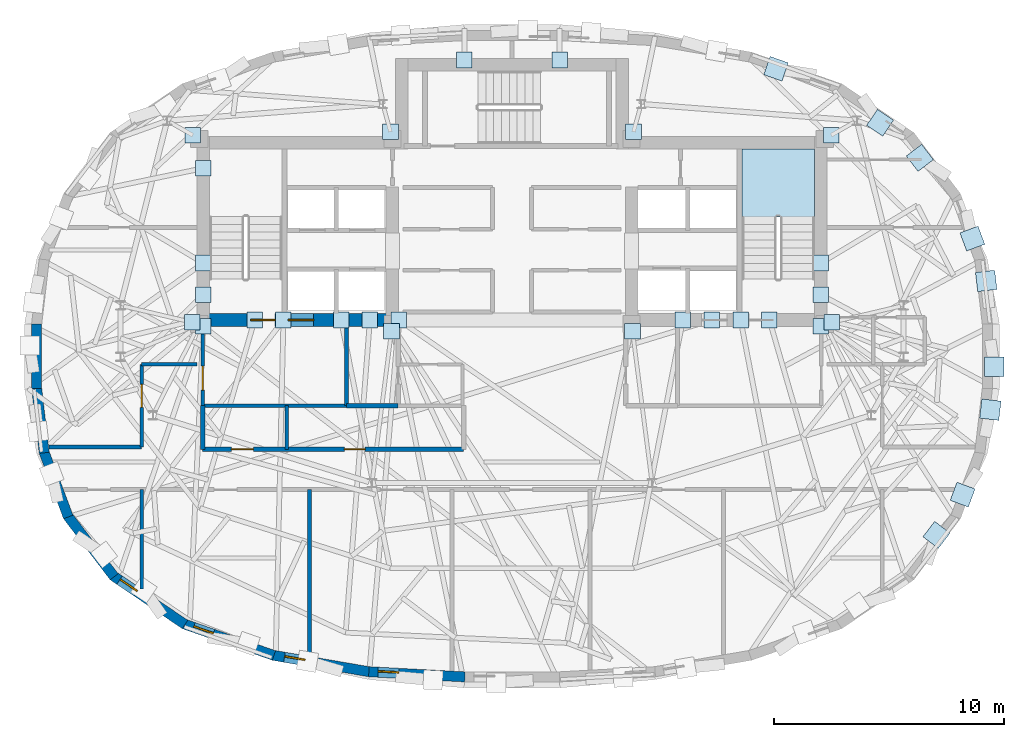
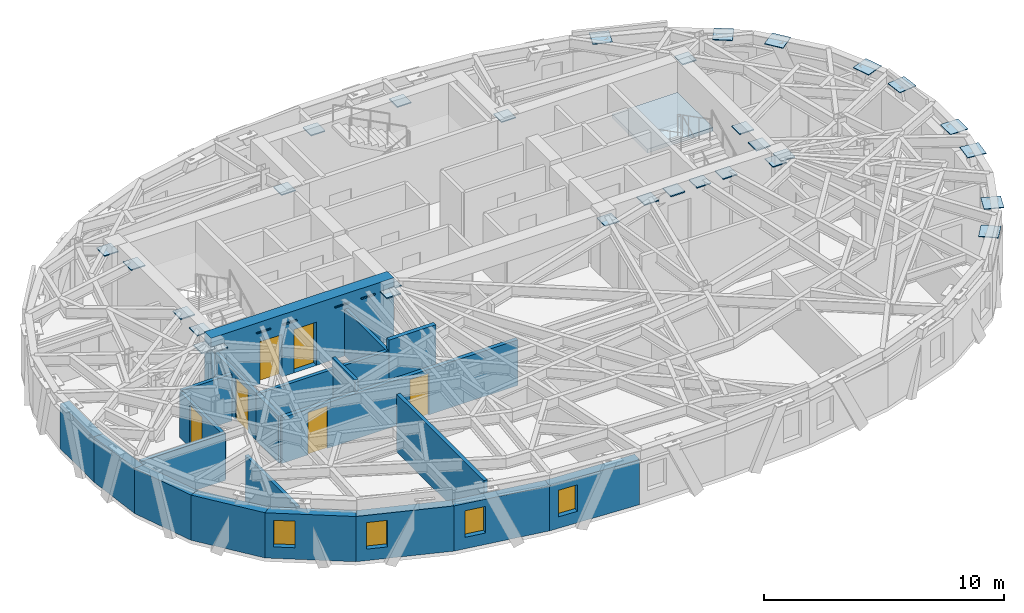
# One storey, part 5 of 12: 35 plates, 21 walls, 6 doors, 4 windows, 1 slab, 10 openings, 1 element without a shape of its own.
"""IFC4 building model written with IfcOpenShell, lengths in metres."""

from ifc_helpers import new_model, si_unit, direction, frame, frame_2d, origin, origin_2d, place, context, subcontext, project, spatial, polyline, rectangle, outline, extrude, material, layer, layer_set, type_object, element, fill, aggregate, save


model = new_model("IFC4")

# Units and contexts
model_context = context("Model", 3, precision=1e-05, world=origin(), true_north=direction((0.0, 1.0)))
body_context = subcontext(model_context, "Body", "Model", "MODEL_VIEW")
ifc_project = project(units=[si_unit("LENGTHUNIT", "METRE"), si_unit("AREAUNIT", "SQUARE_METRE"), si_unit("VOLUMEUNIT", "CUBIC_METRE"), si_unit("PLANEANGLEUNIT", "RADIAN"), si_unit("MASSUNIT", "GRAM", prefix="KILO")], contexts=[model_context])

# Site, building, storey
site_placement = place(None, origin())
site = spatial("IfcSite", under=ifc_project, at=site_placement, CompositionType="ELEMENT")
building_placement = place(site_placement, origin())
building = spatial("IfcBuilding", under=site, at=building_placement, Name="Keldmark Tower", CompositionType="ELEMENT")
storey_placement = place(building_placement, frame((0.0, 0.0, 257.25)))
storey = spatial("IfcBuildingStorey", under=building, at=storey_placement, Name="L73", CompositionType="ELEMENT", Elevation=257.25)

# Plates
ifc_material_1 = material(Name="Steel ASTM A572 Grade 50", Category="steel")
ifc_layer_1 = layer(ifc_material_1, 0.06005859375)
ifc_layer_set_1 = layer_set([ifc_layer_1], Name="Steel ASTM A572 Grade 50")
plate_type_1 = type_object("IfcPlateType", Name="Belt Truss Kink Node Assembly KN01 60 mm", PredefinedType="USERDEFINED", material=ifc_layer_set_1)
for number, where, z_axis, x_axis, name in (
    (1, (13.91162109375, 1.473388671875, 2.63818359375), (0.0, 0.0, 1.0), (1.0, 0.0, 0.0), "L73 Core Wall Cast-In Embed Plate 2111"),
    (2, (13.878173828125, 9.608154296875, 2.63818359375), (0.0, 0.0, 1.0), (1.0, 0.0, 0.0), "L73 Core Wall Cast-In Embed Plate 2112"),
    (3, (5.28515625, 9.758544921875, 2.63818359375), (0.0, 0.0, 1.0), (1.0, 0.0, 0.0), "L73 Core Wall Cast-In Embed Plate 2113"),
    (4, (-5.28515625, 9.758544921875, 2.63818359375), (0.0, 0.0, 1.0), (1.0, 0.0, 0.0), "L73 Core Wall Cast-In Embed Plate 2114"),
    (5, (-13.878173828125, 9.608154296875, 2.63818359375), (0.0, 0.0, 1.0), (1.0, 0.0, 0.0), "L73 Core Wall Cast-In Embed Plate 2115"),
    (6, (-13.91162109375, 1.473388671875, 2.63818359375), (0.0, 0.0, 1.0), (1.0, 0.0, 0.0), "L73 Core Wall Cast-In Embed Plate 2116"),
    (7, (-5.24072265625, 1.08251953125, 2.63818359375), (0.0, 0.0, 1.0), (1.0, 0.0, 0.0), "L73 Core Wall Cast-In Embed Plate 2117"),
    (8, (5.24072265625, 1.08251953125, 2.63818359375), (0.0, 0.0, 1.0), (1.0, 0.0, 0.0), "L73 Core Wall Cast-In Embed Plate 2118"),
    (9, (2.071533203125, 12.8798828125, 2.63427734375), (0.0, 0.0, 1.0), (1.0, 0.0, 0.0), "L73 Core Wall Cast-In Embed Plate 2119"),
    (10, (-2.071533203125, 12.8798828125, 2.63427734375), (0.0, 0.0, 1.0), (1.0, 0.0, 0.0), "L73 Core Wall Cast-In Embed Plate 2120"),
    (11, (-11.19287109375, 1.574951171875, 2.63427734375), (0.0, 0.0, 1.0), (1.0, 0.0, 0.0), "L73 Core Wall Cast-In Embed Plate 2121"),
    (12, (-7.43212890625, 1.574951171875, 2.63427734375), (0.0, 0.0, 1.0), (1.0, 0.0, 0.0), "L73 Core Wall Cast-In Embed Plate 2122"),
    (13, (7.43212890625, 1.574951171875, 2.63427734375), (0.0, 0.0, 1.0), (1.0, 0.0, 0.0), "L73 Core Wall Cast-In Embed Plate 2123"),
    (14, (11.19287109375, 1.574951171875, 2.63427734375), (0.0, 0.0, 1.0), (1.0, 0.0, 0.0), "L73 Core Wall Cast-In Embed Plate 2124"),
    (15, (-9.939208984375, 1.574951171875, 2.63427734375), (0.0, 0.0, 1.0), (1.0, 0.0, 0.0), "L73 Core Wall Cast-In Embed Plate 2125"),
    (16, (-6.1787109375, 1.574951171875, 2.63427734375), (0.0, 0.0, 1.0), (1.0, 0.0, 0.0), "L73 Core Wall Cast-In Embed Plate 2126"),
    (17, (9.939208984375, 1.574951171875, 2.63427734375), (0.0, 0.0, 1.0), (1.0, 0.0, 0.0), "L73 Core Wall Cast-In Embed Plate 2127"),
    (18, (13.425048828125, 4.050048828125, 2.63427734375), (0.0, 0.0, 1.0), (1.0, 0.0, 0.0), "L73 Core Wall Cast-In Embed Plate 2128"),
    (19, (-13.425048828125, 4.050048828125, 2.63427734375), (0.0, 0.0, 1.0), (1.0, 0.0, 0.0), "L73 Core Wall Cast-In Embed Plate 2129"),
    (20, (-13.425048828125, 8.175048828125, 2.63427734375), (0.0, 0.0, 1.0), (1.0, 0.0, 0.0), "L73 Core Wall Cast-In Embed Plate 2130"),
    (21, (-13.425048828125, 2.675048828125, 2.63427734375), (0.0, 0.0, 1.0), (1.0, 0.0, 0.0), "L73 Core Wall Cast-In Embed Plate 2131"),
    (22, (8.685791015625, 1.574951171875, 2.63427734375), (0.0, 0.0, 1.0), (1.0, 0.0, 0.0), "L73 Core Wall Cast-In Embed Plate 2132"),
    (23, (-13.425048828125, 1.300048828125, 2.63427734375), (0.0, 0.0, 1.0), (1.0, 0.0, 0.0), "L73 Core Wall Cast-In Embed Plate 2133"),
    (24, (-4.925048828125, 1.574951171875, 2.63427734375), (0.0, 0.0, 1.0), (1.0, 0.0, 0.0), "L73 Core Wall Cast-In Embed Plate 2134"),
    (25, (13.425048828125, 1.300048828125, 2.63427734375), (0.0, 0.0, 1.0), (1.0, 0.0, 0.0), "L73 Core Wall Cast-In Embed Plate 2135"),
    (26, (13.425048828125, 2.675048828125, 2.63427734375), (0.0, 0.0, 1.0), (1.0, 0.0, 0.0), "L73 Core Wall Cast-In Embed Plate 2136"),
):
    element("IfcPlate", number, at=place(storey_placement, frame(where, z_axis=z_axis, x_axis=x_axis)), inside=storey, type_object=plate_type_1, Name=name, ObjectType="CAP PLATE", PredefinedType="USERDEFINED", context=body_context, shape_type="SweptSolid", body=[
        extrude(rectangle(XDim=0.679931640625, YDim=0.679931640625, at=origin_2d()), origin(), (0.0, 0.0, 1.0), 0.054931640625),
    ])
ifc_material_2 = material(Name="Steel ASTM A572 Grade 50", Category="steel")
ifc_layer_2 = layer(ifc_material_2, 0.034912109375)
ifc_layer_set_2 = layer_set([ifc_layer_2], Name="Steel ASTM A572 Grade 50")
plate_type_2 = type_object("IfcPlateType", Name="Diagrid Node Assembly DN06 35 mm", PredefinedType="USERDEFINED", material=ifc_layer_set_2)
for number, where, z_axis, x_axis, name in (
    (27, (20.619873046875, 3.273193359375, 2.79248046875), (0.0, 0.0, 1.0), (-0.116324048041, 0.9932113148, 0.0), "L73 Diagrid Node Assembly 01"),
    (28, (20.01806640625, 5.115234375, 2.79248046875), (0.0, 0.0, 1.0), (-0.34906275922, 0.937099349122, 0.0), "L73 Diagrid Node Assembly 02"),
    (29, (17.7353515625, 8.62548828125, 2.79248046875), (0.0, 0.0, 1.0), (-0.606821085724, 0.794838455235, 0.0), "L73 Diagrid Node Assembly 03"),
    (30, (16.0048828125, 10.151611328125, 2.79248046875), (0.0, 0.0, 1.0), (-0.827668733006, 0.561216953062, 0.0), "L73 Diagrid Node Assembly 04"),
    (31, (11.4814453125, 12.49853515625, 2.79248046875), (0.0, 0.0, 1.0), (-0.943569979028, 0.331173209479, 0.0), "L73 Diagrid Node Assembly 05"),
    (32, (18.45849609375, -7.771240234375, 2.79248046875), (0.0, 0.0, 1.0), (0.606821085724, 0.794838455235, 0.0), "L73 Diagrid Node Assembly 29"),
    (33, (19.595458984375, -6.0205078125, 2.79248046875), (0.0, 0.0, 1.0), (0.34906275922, 0.937099349122, 0.0), "L73 Diagrid Node Assembly 30"),
    (34, (20.79931640625, -2.32421875, 2.79248046875), (0.0, 0.0, 1.0), (0.116324048041, 0.9932113148, 0.0), "L73 Diagrid Node Assembly 31"),
    (35, (20.973876953125, -0.462158203125, 2.79248046875), (0.0, 0.0, 1.0), (0.0, 1.0, 0.0), "L73 Diagrid Node Assembly 32"),
):
    element("IfcPlate", number, at=place(storey_placement, frame(where, z_axis=z_axis, x_axis=x_axis)), inside=storey, type_object=plate_type_2, Name=name, ObjectType="GUSSET", PredefinedType="USERDEFINED", context=body_context, shape_type="SweptSolid", body=[
        extrude(rectangle(XDim=0.840087890625, YDim=0.840087890625, at=origin_2d()), origin(), (0.0, 0.0, 1.0), 0.034912109375),
    ])

# Stair, slab
ifc_material_3 = material(Name="Concrete C40/50", Category="concrete")
stair_type = type_object("IfcStairType", Name="Precast Concrete Core Exit Stair", PredefinedType="HALF_TURN_STAIR", material=ifc_material_3)
stair_placement = place(storey_placement, origin())
stair = element("IfcStair", 36, at=stair_placement, inside=storey, type_object=stair_type, Name="L73 Exit Stair ST2", PredefinedType="HALF_TURN_STAIR")
ifc_material_4 = material(Name="Concrete C40/50", Category="concrete")
ifc_layer_3 = layer(ifc_material_4, 0.199951171875)
ifc_layer_set_3 = layer_set([ifc_layer_3], Name="Concrete C40/50")
slab_type = type_object("IfcSlabType", Name="Reinforced Concrete Stair Landing 200 mm", PredefinedType="LANDING", material=ifc_layer_set_3)
slab_placement = place(storey_placement, frame((0.0, 0.0, 1.375)))
slab = element("IfcSlab", 37, at=slab_placement, type_object=slab_type, Name="ST2 landing 1", PredefinedType="LANDING", context=body_context, shape_type="SweptSolid", body=[
    extrude(outline(polyline([(13.14990234375, 6.050048828125), (13.14990234375, 9.0), (10.0, 9.0), (10.0, 6.050048828125), (13.14990234375, 6.050048828125)])), origin(), (0.0, 0.0, 1.0), 0.199951171875),
])
aggregate(stair, [slab])

# Wall
ifc_material_5 = material(Name="STC-58 Insulated Tenant Demising Gypsum Partition", Category="gypsum")
ifc_layer_4 = layer(ifc_material_5, 0.175048828125)
ifc_layer_set_4 = layer_set([ifc_layer_4], Name="STC-58 Insulated Tenant Demising Gypsum Partition")
wall_type_1 = type_object("IfcWallType", Name="Demising Suite Partition 175 mm", PredefinedType="PARTITIONING", material=ifc_layer_set_4)
wall_1_placement = place(storey_placement, frame((-8.800048828125, -13.04638671875, 0.0), z_axis=(0.0, 0.0, 1.0), x_axis=(0.0, 1.0, 0.0)))
element("IfcWall", 38, at=wall_1_placement, inside=storey, type_object=wall_type_1, Name="L73 Demising Suite Partition 175 mm RS-T5-D1", PredefinedType="PARTITIONING", context=body_context, shape_type="SweptSolid", body=[
    extrude(rectangle(XDim=7.246337890625, YDim=0.175048828125, at=frame_2d((3.623046875, 0.0))), origin(), (0.0, 0.0, 1.0), 2.929931640625),
])

# Wall, openings, doors
ifc_material_6 = material(Name="Heavy Acoustic Plumbing Chase Gypsum Assembly", Category="gypsum")
ifc_layer_5 = layer(ifc_material_6, 0.18994140625)
ifc_layer_set_5 = layer_set([ifc_layer_5], Name="Heavy Acoustic Plumbing Chase Gypsum Assembly")
wall_type_2 = type_object("IfcWallType", Name="Heavy Wet Wall 190 mm", PredefinedType="PLUMBINGWALL", material=ifc_layer_set_5)
wall_2_placement = place(storey_placement, frame((-13.449951171875, -4.050048828125, 0.0), z_axis=(0.0, 0.0, 1.0), x_axis=(1.0, 0.0, 0.0)))
wall_2 = element("IfcWall", 39, at=wall_2_placement, inside=storey, type_object=wall_type_2, Name="L73 Heavy Wet Wall 190 mm SPK-W-S", PredefinedType="PLUMBINGWALL", context=body_context, shape_type="SweptSolid", body=[
    extrude(rectangle(XDim=11.349853515625, YDim=0.18994140625, at=frame_2d((5.6748046875, 0.0))), origin(), (0.0, 0.0, 1.0), 2.31689453125),
])
opening_1_placement = place(wall_2_placement, frame((1.25, 0.0, 0.0)))
opening_1 = element("IfcOpeningElement", 40, at=opening_1_placement, cuts=wall_2, Name="Opening D-AWC95", PredefinedType="OPENING", context=body_context, shape_type="SweptSolid", body=[
    extrude(rectangle(XDim=0.949951171875, YDim=2.14990234375, at=frame_2d((0.47509765625, 1.074951171875))), frame((0.0, 0.10498046875, 0.0), z_axis=(0.0, -1.0, 0.0), x_axis=(1.0, 0.0, 0.0)), (0.0, 0.0, 1.0), 0.2099609375),
])
opening_2_placement = place(wall_2_placement, frame((6.159912109375, 0.0, 0.0)))
opening_2 = element("IfcOpeningElement", 41, at=opening_2_placement, cuts=wall_2, Name="Opening D-IN090", PredefinedType="OPENING", context=body_context, shape_type="SweptSolid", body=[
    extrude(rectangle(XDim=0.89990234375, YDim=2.10009765625, at=frame_2d((0.449951171875, 1.050048828125))), frame((0.0, 0.10498046875, 0.0), z_axis=(0.0, -1.0, 0.0), x_axis=(1.0, 0.0, 0.0)), (0.0, 0.0, 1.0), 0.2099609375),
])
ifc_material_7 = material(Name="Painted Solid-Core Architectural Wood", Category="wood")
door_type_1 = type_object("IfcDoorType", Name="Accessible WC Door 950x2150", OperationType="NOTDEFINED", PredefinedType="DOOR", material=ifc_material_7)
door_1_placement = place(opening_1_placement, origin())
door_1 = element("IfcDoor", 42, at=door_1_placement, inside=storey, type_object=door_type_1, Name="L73 Accessible WC Door 950x2150 D-SPKW1-L73", OperationType="SINGLE_SWING_LEFT", OverallHeight=2.14990234375, OverallWidth=0.949951171875, PredefinedType="DOOR", context=body_context, shape_type="SweptSolid", body=[
    extrude(rectangle(XDim=0.949951171875, YDim=2.14990234375, at=frame_2d((0.47509765625, 1.074951171875))), frame((0.0, 0.02490234375, 0.0), z_axis=(0.0, -1.0, 0.0), x_axis=(1.0, 0.0, 0.0)), (0.0, 0.0, 1.0), 0.050048828125),
])
fill(opening_1, door_1)
ifc_material_8 = material(Name="Stained American White Oak Veneer", Category="wood")
door_type_2 = type_object("IfcDoorType", Name="Interior Door 900x2100", OperationType="NOTDEFINED", PredefinedType="DOOR", material=ifc_material_8)
door_2_placement = place(opening_2_placement, origin())
door_2 = element("IfcDoor", 43, at=door_2_placement, inside=storey, type_object=door_type_2, Name="L73 Interior Door 900x2100 D-SPKW2-L73", OperationType="SINGLE_SWING_RIGHT", OverallHeight=2.10009765625, OverallWidth=0.89990234375, PredefinedType="DOOR", context=body_context, shape_type="SweptSolid", body=[
    extrude(rectangle(XDim=0.89990234375, YDim=2.10009765625, at=frame_2d((0.449951171875, 1.050048828125))), frame((0.0, 0.02490234375, 0.0), z_axis=(0.0, -1.0, 0.0), x_axis=(1.0, 0.0, 0.0)), (0.0, 0.0, 1.0), 0.050048828125),
])
fill(opening_2, door_2)

# Wall
wall_3_placement = place(storey_placement, frame((-13.449951171875, -4.050048828125, 0.0), z_axis=(0.0, 0.0, 1.0), x_axis=(0.0, 1.0, 0.0)))
element("IfcWall", 44, at=wall_3_placement, inside=storey, type_object=wall_type_2, Name="L73 Heavy Wet Wall 190 mm SPK-W-W", PredefinedType="PLUMBINGWALL", context=body_context, shape_type="SweptSolid", body=[
    extrude(rectangle(XDim=1.900146484375, YDim=0.18994140625, at=frame_2d((0.9501953125, 0.0))), origin(), (0.0, 0.0, 1.0), 2.383056640625),
])

# Wall, openings, doors
ifc_material_9 = material(Name="Concrete C50/60", Category="concrete")
ifc_layer_6 = layer(ifc_material_9, 0.550048828125)
ifc_layer_set_6 = layer_set([ifc_layer_6], Name="Concrete C50/60")
wall_type_3 = type_object("IfcWallType", Name="High-Rise Core Shear Wall 550 mm", PredefinedType="SHEAR", material=ifc_layer_set_6)
wall_4_placement = place(storey_placement, frame((-4.925048828125, 1.574951171875, 0.0), z_axis=(0.0, 0.0, 1.0), x_axis=(-1.0, 0.0, 0.0)))
wall_4 = element("IfcWall", 45, at=wall_4_placement, inside=storey, type_object=wall_type_3, Name="L73 West Core South Shear Wall", PredefinedType="SHEAR", context=body_context, shape_type="SweptSolid", body=[
    extrude(rectangle(XDim=8.77490234375, YDim=0.550048828125, at=frame_2d((4.387451171875, 0.0))), origin(), (0.0, 0.0, 1.0), 3.14990234375),
])
opening_3_placement = place(wall_4_placement, frame((5.375, 0.0, 0.0)))
opening_3 = element("IfcOpeningElement", 46, at=opening_3_placement, cuts=wall_4, Name="Opening D-ST105", PredefinedType="OPENING", context=body_context, shape_type="SweptSolid", body=[
    extrude(rectangle(XDim=1.050048828125, YDim=2.14990234375, at=frame_2d((0.52490234375, 1.074951171875))), frame((0.0, 0.284912109375, 0.0), z_axis=(0.0, -1.0, 0.0), x_axis=(1.0, 0.0, 0.0)), (0.0, 0.0, 1.0), 0.570068359375),
])
opening_4_placement = place(wall_4_placement, frame((3.705078125, 0.0, 0.0)))
opening_4 = element("IfcOpeningElement", 47, at=opening_4_placement, cuts=wall_4, Name="Opening LD-110", PredefinedType="OPENING", context=body_context, shape_type="SweptSolid", body=[
    extrude(rectangle(XDim=1.10009765625, YDim=2.199951171875, at=frame_2d((0.550048828125, 1.10009765625))), frame((0.0, 0.284912109375, 0.0), z_axis=(0.0, -1.0, 0.0), x_axis=(1.0, 0.0, 0.0)), (0.0, 0.0, 1.0), 0.570068359375),
])
ifc_material_10 = material(Name="Brushed Bronze Hoistway Sliding Leaf", Category="metal")
door_type_3 = type_object("IfcDoorType", Name="Lift Landing Sliding Door 1100x2200", OperationType="SLIDING_TO_LEFT", PredefinedType="DOOR", material=ifc_material_10)
door_3_placement = place(opening_4_placement, origin())
door_3 = element("IfcDoor", 48, at=door_3_placement, inside=storey, type_object=door_type_3, Name="L73 Lift Landing Sliding Door 1100x2200 LD-EL-FS1-L73", OperationType="SLIDING_TO_LEFT", OverallHeight=2.199951171875, OverallWidth=1.10009765625, PredefinedType="DOOR", context=body_context, shape_type="SweptSolid", body=[
    extrude(rectangle(XDim=1.10009765625, YDim=2.199951171875, at=frame_2d((0.550048828125, 1.10009765625))), frame((0.0, 0.02490234375, 0.0), z_axis=(0.0, -1.0, 0.0), x_axis=(1.0, 0.0, 0.0)), (0.0, 0.0, 1.0), 0.050048828125),
])
fill(opening_4, door_3)
ifc_material_11 = material(Name="Hollow Metal Fire-Rated Door Assembly", Category="metal")
door_type_4 = type_object("IfcDoorType", Name="Stair Fire Door 1050x2150", OperationType="NOTDEFINED", PredefinedType="DOOR", material=ifc_material_11)
door_4_placement = place(opening_3_placement, origin())
door_4 = element("IfcDoor", 49, at=door_4_placement, inside=storey, type_object=door_type_4, Name="L73 Stair Fire Door 1050x2150 D-ST1-L73", OperationType="SINGLE_SWING_RIGHT", OverallHeight=2.14990234375, OverallWidth=1.050048828125, PredefinedType="DOOR", context=body_context, shape_type="SweptSolid", body=[
    extrude(rectangle(XDim=1.050048828125, YDim=2.14990234375, at=frame_2d((0.52490234375, 1.074951171875))), frame((0.0, 0.02490234375, 0.0), z_axis=(0.0, -1.0, 0.0), x_axis=(1.0, 0.0, 0.0)), (0.0, 0.0, 1.0), 0.050048828125),
])
fill(opening_3, door_4)

# Wall
ifc_material_12 = material(Name="Type X Fire-Rated Gypsum Partition Assembly", Category="gypsum")
ifc_layer_7 = layer(ifc_material_12, 0.1650390625)
ifc_layer_set_7 = layer_set([ifc_layer_7], Name="Type X Fire-Rated Gypsum Partition Assembly")
wall_type_4 = type_object("IfcWallType", Name="Rated Partition 165 mm", PredefinedType="PARTITIONING", material=ifc_layer_set_7)
wall_5_placement = place(storey_placement, frame((-13.449951171875, -2.14990234375, 0.0), z_axis=(0.0, 0.0, 1.0), x_axis=(1.0, 0.0, 0.0)))
element("IfcWall", 50, at=wall_5_placement, inside=storey, type_object=wall_type_4, Name="L73 Rated Partition 165 mm FSAE-W-S", PredefinedType="PARTITIONING", context=body_context, shape_type="SweptSolid", body=[
    extrude(rectangle(XDim=6.25, YDim=0.1650390625, at=frame_2d((3.125, 0.0))), origin(), (0.0, 0.0, 1.0), 2.383056640625),
])

# Wall, opening, door
wall_6_placement = place(storey_placement, frame((-13.449951171875, -2.14990234375, 0.0), z_axis=(0.0, 0.0, 1.0), x_axis=(0.0, 1.0, 0.0)))
wall_6 = element("IfcWall", 51, at=wall_6_placement, inside=storey, type_object=wall_type_4, Name="L73 Rated Partition 165 mm FSAE-W-W", PredefinedType="PARTITIONING", context=body_context, shape_type="SweptSolid", body=[
    extrude(rectangle(XDim=3.5, YDim=0.1650390625, at=frame_2d((1.75, 0.0))), origin(), (0.0, 0.0, 1.0), 2.383056640625),
])
opening_5_placement = place(wall_6_placement, frame((0.669921875, 0.0, 0.0)))
opening_5 = element("IfcOpeningElement", 52, at=opening_5_placement, cuts=wall_6, Name="Opening D-FL105", PredefinedType="OPENING", context=body_context, shape_type="SweptSolid", body=[
    extrude(rectangle(XDim=1.050048828125, YDim=2.14990234375, at=frame_2d((0.52490234375, 1.074951171875))), frame((0.0, 0.092529296875, 0.0), z_axis=(0.0, -1.0, 0.0), x_axis=(1.0, 0.0, 0.0)), (0.0, 0.0, 1.0), 0.18505859375),
])
ifc_material_13 = material(Name="Fire-Rated Mineral-Core Door and Vision Lite", Category="metal")
door_type_5 = type_object("IfcDoorType", Name="Fire Lobby Door 1050x2150", OperationType="NOTDEFINED", PredefinedType="DOOR", material=ifc_material_13)
door_5_placement = place(opening_5_placement, origin())
door_5 = element("IfcDoor", 53, at=door_5_placement, inside=storey, type_object=door_type_5, Name="L73 Fire Lobby Door 1050x2150 D-FSAEW-OUT-L73", OperationType="SINGLE_SWING_RIGHT", OverallHeight=2.14990234375, OverallWidth=1.050048828125, PredefinedType="DOOR", context=body_context, shape_type="SweptSolid", body=[
    extrude(rectangle(XDim=1.050048828125, YDim=2.14990234375, at=frame_2d((0.52490234375, 1.074951171875))), frame((0.0, 0.02490234375, 0.0), z_axis=(0.0, -1.0, 0.0), x_axis=(1.0, 0.0, 0.0)), (0.0, 0.0, 1.0), 0.050048828125),
])
fill(opening_5, door_5)

# Walls
wall_7_placement = place(storey_placement, frame((-7.199951171875, -2.14990234375, 0.0), z_axis=(0.0, 0.0, 1.0), x_axis=(0.0, 1.0, 0.0)))
element("IfcWall", 54, at=wall_7_placement, inside=storey, type_object=wall_type_4, Name="L73 Rated Partition 165 mm FSAE-W-E", PredefinedType="PARTITIONING", context=body_context, shape_type="SweptSolid", body=[
    extrude(rectangle(XDim=3.5, YDim=0.1650390625, at=frame_2d((1.75, 0.0))), origin(), (0.0, 0.0, 1.0), 2.383056640625),
])
wall_8_placement = place(storey_placement, frame((-20.141845703125, -3.949951171875, 0.0), z_axis=(0.0, 0.0, 1.0), x_axis=(1.0, 0.0, 0.0)))
element("IfcWall", 55, at=wall_8_placement, inside=storey, type_object=wall_type_4, Name="L73 Rated Partition 165 mm RCOR-WN-OUT", PredefinedType="PARTITIONING", context=body_context, shape_type="SweptSolid", body=[
    extrude(rectangle(XDim=4.041748046875, YDim=0.1650390625, at=frame_2d((2.02099609375, 0.0))), origin(), (0.0, 0.0, 1.0), 2.383056640625),
])

# Wall, opening, door
wall_9_placement = place(storey_placement, frame((-16.10009765625, -3.949951171875, 0.0), z_axis=(0.0, 0.0, 1.0), x_axis=(0.0, 1.0, 0.0)))
wall_9 = element("IfcWall", 56, at=wall_9_placement, inside=storey, type_object=wall_type_4, Name="L73 Rated Partition 165 mm RCOR-VW", PredefinedType="PARTITIONING", context=body_context, shape_type="SweptSolid", body=[
    extrude(rectangle(XDim=3.599853515625, YDim=0.1650390625, at=frame_2d((1.7998046875, 0.0))), origin(), (0.0, 0.0, 1.0), 2.31689453125),
])
opening_6_placement = place(wall_9_placement, frame((1.72998046875, 0.0, 0.0)))
opening_6 = element("IfcOpeningElement", 57, at=opening_6_placement, cuts=wall_9, Name="Opening D-FD100", PredefinedType="OPENING", context=body_context, shape_type="SweptSolid", body=[
    extrude(rectangle(XDim=1.0, YDim=2.14990234375, at=frame_2d((0.5, 1.074951171875))), frame((0.0, 0.092529296875, 0.0), z_axis=(0.0, -1.0, 0.0), x_axis=(1.0, 0.0, 0.0)), (0.0, 0.0, 1.0), 0.18505859375),
])
ifc_material_14 = material(Name="Hollow Metal Fire-Rated Corridor Door", Category="metal")
door_type_6 = type_object("IfcDoorType", Name="Fire Door 1000x2150", OperationType="NOTDEFINED", PredefinedType="DOOR", material=ifc_material_14)
door_6_placement = place(opening_6_placement, origin())
door_6 = element("IfcDoor", 58, at=door_6_placement, inside=storey, type_object=door_type_6, Name="L73 Fire Door 1000x2150 D-RWM1-L73", OperationType="SINGLE_SWING_RIGHT", OverallHeight=2.14990234375, OverallWidth=1.0, PredefinedType="DOOR", context=body_context, shape_type="SweptSolid", body=[
    extrude(rectangle(XDim=1.0, YDim=2.14990234375, at=frame_2d((0.5, 1.074951171875))), frame((0.0, 0.02490234375, 0.0), z_axis=(0.0, -1.0, 0.0), x_axis=(1.0, 0.0, 0.0)), (0.0, 0.0, 1.0), 0.050048828125),
])
fill(opening_6, door_6)

# Walls
wall_10_placement = place(storey_placement, frame((-16.10009765625, -0.35009765625, 0.0), z_axis=(0.0, 0.0, 1.0), x_axis=(1.0, 0.0, 0.0)))
element("IfcWall", 59, at=wall_10_placement, inside=storey, type_object=wall_type_4, Name="L73 Rated Partition 165 mm RCOR-VWN", PredefinedType="PARTITIONING", context=body_context, shape_type="SweptSolid", body=[
    extrude(rectangle(XDim=2.400146484375, YDim=0.1650390625, at=frame_2d((1.2001953125, 0.0))), origin(), (0.0, 0.0, 1.0), 2.383056640625),
])
wall_11_placement = place(storey_placement, frame((-16.10009765625, -10.114501953125, 0.0), z_axis=(0.0, 0.0, 1.0), x_axis=(0.0, 1.0, 0.0)))
element("IfcWall", 60, at=wall_11_placement, inside=storey, type_object=wall_type_4, Name="L73 Rated Partition 165 mm RS-WCAP", PredefinedType="PARTITIONING", context=body_context, shape_type="SweptSolid", body=[
    extrude(rectangle(XDim=4.314453125, YDim=0.1650390625, at=frame_2d((2.1572265625, 0.0))), origin(), (0.0, 0.0, 1.0), 2.383056640625),
])
ifc_material_15 = material(Name="Fire-Resistant Type X Gypsum Shaftliner Coreboard", Category="gypsum")
ifc_layer_8 = layer(ifc_material_15, 0.199951171875)
ifc_layer_set_8 = layer_set([ifc_layer_8], Name="Fire-Resistant Type X Gypsum Shaftliner Coreboard")
wall_type_5 = type_object("IfcWallType", Name="Shaft Wall 200 mm", PredefinedType="SOLIDWALL", material=ifc_layer_set_8)
wall_12_placement = place(storey_placement, frame((-7.199951171875, -2.14990234375, 0.0), z_axis=(0.0, 0.0, 1.0), x_axis=(1.0, 0.0, 0.0)))
element("IfcWall", 61, at=wall_12_placement, inside=storey, type_object=wall_type_5, Name="L73 Shaft Wall 200 mm RIS-SW-S", PredefinedType="SOLIDWALL", context=body_context, shape_type="SweptSolid", body=[
    extrude(rectangle(XDim=2.25, YDim=0.199951171875, at=frame_2d((1.125, 0.0))), origin(), (0.0, 0.0, 1.0), 2.929931640625),
])
ifc_material_16 = material(Name="Ironspot Manganese Brick and Kasota Buff Limestone Spandrel Assembly", Category="masonry")
ifc_layer_9 = layer(ifc_material_16, 0.43994140625)
ifc_layer_set_9 = layer_set([ifc_layer_9], Name="Ironspot Manganese Brick and Kasota Buff Limestone Spandrel Assembly")
wall_type_6 = type_object("IfcWallType", Name="Tower Brick Pier and Spandrel Wall 440 mm", PredefinedType="STANDARD", material=ifc_layer_set_9)
wall_13_placement = place(storey_placement, frame((-20.672119140625, -1.39501953125, 0.0), z_axis=(0.0, 0.0, 1.0), x_axis=(0.0, 1.0, 0.0)))
element("IfcWall", 62, at=wall_13_placement, inside=storey, type_object=wall_type_6, Name="L73 Exterior Brick and Spandrel Wall 16", PredefinedType="STANDARD", context=body_context, shape_type="SweptSolid", body=[
    extrude(rectangle(XDim=2.7900390625, YDim=0.43994140625, at=frame_2d((1.39501953125, 0.0))), origin(), (0.0, 0.0, 1.0), 2.2958984375),
])
wall_14_placement = place(storey_placement, frame((-20.341796875, -4.202880859375, 0.0), z_axis=(0.0, 0.0, 1.0), x_axis=(-0.116300017341, 0.99321412896, 0.0)))
element("IfcWall", 63, at=wall_14_placement, inside=storey, type_object=wall_type_6, Name="L73 Exterior Brick and Spandrel Wall 17", PredefinedType="STANDARD", context=body_context, shape_type="SweptSolid", body=[
    extrude(rectangle(XDim=2.852783203125, YDim=0.43994140625, at=frame_2d((1.42626953125, 0.0))), origin(), (0.0, 0.0, 1.0), 2.2958984375),
])
wall_15_placement = place(storey_placement, frame((-19.296875, -6.990966796875, 0.0), z_axis=(0.0, 0.0, 1.0), x_axis=(-0.34898554078, 0.937128108813, 0.0)))
element("IfcWall", 64, at=wall_15_placement, inside=storey, type_object=wall_type_6, Name="L73 Exterior Brick and Spandrel Wall 18", PredefinedType="STANDARD", context=body_context, shape_type="SweptSolid", body=[
    extrude(rectangle(XDim=3.02978515625, YDim=0.43994140625, at=frame_2d((1.514892578125, 0.0))), origin(), (0.0, 0.0, 1.0), 2.2958984375),
])
wall_16_placement = place(storey_placement, frame((-17.300537109375, -9.58984375, 0.0), z_axis=(0.0, 0.0, 1.0), x_axis=(-0.606828844818, 0.794832531479, 0.0)))
element("IfcWall", 65, at=wall_16_placement, inside=storey, type_object=wall_type_6, Name="L73 Exterior Brick and Spandrel Wall 19", PredefinedType="STANDARD", context=body_context, shape_type="SweptSolid", body=[
    extrude(rectangle(XDim=3.34130859375, YDim=0.43994140625, at=frame_2d((1.670654296875, 0.0))), origin(), (0.0, 0.0, 1.0), 2.2958984375),
])

# Wall, opening, window
wall_17_placement = place(storey_placement, frame((-14.21826171875, -11.666015625, 0.0), z_axis=(0.0, 0.0, 1.0), x_axis=(-0.827669406477, 0.561215959842, 0.0)))
wall_17 = element("IfcWall", 66, at=wall_17_placement, inside=storey, type_object=wall_type_6, Name="L73 Exterior Brick and Spandrel Wall 20", PredefinedType="STANDARD", context=body_context, shape_type="SweptSolid", body=[
    extrude(rectangle(XDim=3.785888671875, YDim=0.43994140625, at=frame_2d((1.89306640625, 0.0))), origin(), (0.0, 0.0, 1.0), 2.2958984375),
])
opening_7_placement = place(wall_17_placement, frame((2.536865234375, 0.0, 0.580078125)))
opening_7 = element("IfcOpeningElement", 67, at=opening_7_placement, cuts=wall_17, Name="Opening W-09", PredefinedType="OPENING", context=body_context, shape_type="SweptSolid", body=[
    extrude(rectangle(XDim=0.89990234375, YDim=1.35009765625, at=frame_2d((0.449951171875, 0.675048828125))), frame((0.0, 0.22998046875, 0.0), z_axis=(0.0, -1.0, 0.0), x_axis=(1.0, 0.0, 0.0)), (0.0, 0.0, 1.0), 0.4599609375),
])
ifc_material_17 = material(Name="Thermally Broken Anodized Aluminum and Triple Low-E Argon Glazing", Category="aluminium")
window_type = type_object("IfcWindowType", Name="Corner Pier Deep-Set Window 900x1350", PartitioningType="SINGLE_PANEL", PredefinedType="WINDOW", material=ifc_material_17)
window_1_placement = place(opening_7_placement, origin())
window_1 = element("IfcWindow", 68, at=window_1_placement, inside=storey, type_object=window_type, Name="L73 Deep-Set Window 20", OverallHeight=1.35009765625, OverallWidth=0.89990234375, PartitioningType="SINGLE_PANEL", PredefinedType="WINDOW", context=body_context, shape_type="SweptSolid", body=[
    extrude(rectangle(XDim=0.89990234375, YDim=1.35009765625, at=frame_2d((0.449951171875, 0.675048828125))), frame((0.0, -0.010009765625, 0.0), z_axis=(0.0, -1.0, 0.0), x_axis=(1.0, 0.0, 0.0)), (0.0, 0.0, 1.0), 0.06005859375),
])
fill(opening_7, window_1)

wall_18_placement = place(storey_placement, frame((-10.351806640625, -13.01513671875, 0.0), z_axis=(0.0, 0.0, 1.0), x_axis=(-0.943571934891, 0.331167636834, 0.0)))
wall_18 = element("IfcWall", 69, at=wall_18_placement, inside=storey, type_object=wall_type_6, Name="L73 Exterior Brick and Spandrel Wall 21", PredefinedType="STANDARD", context=body_context, shape_type="SweptSolid", body=[
    extrude(rectangle(XDim=4.151123046875, YDim=0.43994140625, at=frame_2d((2.07568359375, 0.0))), origin(), (0.0, 0.0, 1.0), 2.2958984375),
])
opening_8_placement = place(wall_18_placement, frame((2.805419921875, 0.0, 0.580078125)))
opening_8 = element("IfcOpeningElement", 70, at=opening_8_placement, cuts=wall_18, Name="Opening W-09", PredefinedType="OPENING", context=body_context, shape_type="SweptSolid", body=[
    extrude(rectangle(XDim=0.89990234375, YDim=1.35009765625, at=frame_2d((0.449951171875, 0.675048828125))), frame((0.0, 0.22998046875, 0.0), z_axis=(0.0, -1.0, 0.0), x_axis=(1.0, 0.0, 0.0)), (0.0, 0.0, 1.0), 0.4599609375),
])
window_2_placement = place(opening_8_placement, origin())
window_2 = element("IfcWindow", 71, at=window_2_placement, inside=storey, type_object=window_type, Name="L73 Deep-Set Window 21", OverallHeight=1.35009765625, OverallWidth=0.89990234375, PartitioningType="SINGLE_PANEL", PredefinedType="WINDOW", context=body_context, shape_type="SweptSolid", body=[
    extrude(rectangle(XDim=0.89990234375, YDim=1.35009765625, at=frame_2d((0.449951171875, 0.675048828125))), frame((0.0, -0.010009765625, 0.0), z_axis=(0.0, -1.0, 0.0), x_axis=(1.0, 0.0, 0.0)), (0.0, 0.0, 1.0), 0.06005859375),
])
fill(opening_8, window_2)

wall_19_placement = place(storey_placement, frame((-6.19970703125, -13.722900390625, 0.0), z_axis=(0.0, 0.0, 1.0), x_axis=(-0.985667057966, 0.168702254995, 0.0)))
wall_19 = element("IfcWall", 72, at=wall_19_placement, inside=storey, type_object=wall_type_6, Name="L73 Exterior Brick and Spandrel Wall 22", PredefinedType="STANDARD", context=body_context, shape_type="SweptSolid", body=[
    extrude(rectangle(XDim=4.248779296875, YDim=0.43994140625, at=frame_2d((2.12451171875, 0.0))), origin(), (0.0, 0.0, 1.0), 2.2958984375),
])
opening_9_placement = place(wall_19_placement, frame((2.848876953125, 0.0, 0.580078125)))
opening_9 = element("IfcOpeningElement", 73, at=opening_9_placement, cuts=wall_19, Name="Opening W-09", PredefinedType="OPENING", context=body_context, shape_type="SweptSolid", body=[
    extrude(rectangle(XDim=0.89990234375, YDim=1.35009765625, at=frame_2d((0.449951171875, 0.675048828125))), frame((0.0, 0.22998046875, 0.0), z_axis=(0.0, -1.0, 0.0), x_axis=(1.0, 0.0, 0.0)), (0.0, 0.0, 1.0), 0.4599609375),
])
window_3_placement = place(opening_9_placement, origin())
window_3 = element("IfcWindow", 74, at=window_3_placement, inside=storey, type_object=window_type, Name="L73 Deep-Set Window 22", OverallHeight=1.35009765625, OverallWidth=0.89990234375, PartitioningType="SINGLE_PANEL", PredefinedType="WINDOW", context=body_context, shape_type="SweptSolid", body=[
    extrude(rectangle(XDim=0.89990234375, YDim=1.35009765625, at=frame_2d((0.449951171875, 0.675048828125))), frame((0.0, -0.010009765625, 0.0), z_axis=(0.0, -1.0, 0.0), x_axis=(1.0, 0.0, 0.0)), (0.0, 0.0, 1.0), 0.06005859375),
])
fill(opening_9, window_3)

wall_20_placement = place(storey_placement, frame((-2.0458984375, -13.944580078125, 0.0), z_axis=(0.0, 0.0, 1.0), x_axis=(-0.998558880418, 0.053667143941, 0.0)))
wall_20 = element("IfcWall", 75, at=wall_20_placement, inside=storey, type_object=wall_type_6, Name="L73 Exterior Brick and Spandrel Wall 23", PredefinedType="STANDARD", context=body_context, shape_type="SweptSolid", body=[
    extrude(rectangle(XDim=4.185302734375, YDim=0.43994140625, at=frame_2d((2.0927734375, 0.0))), origin(), (0.0, 0.0, 1.0), 2.2958984375),
])
opening_10_placement = place(wall_20_placement, frame((2.88623046875, 0.0, 0.580078125)))
opening_10 = element("IfcOpeningElement", 76, at=opening_10_placement, cuts=wall_20, Name="Opening W-09", PredefinedType="OPENING", context=body_context, shape_type="SweptSolid", body=[
    extrude(rectangle(XDim=0.89990234375, YDim=1.35009765625, at=frame_2d((0.449951171875, 0.675048828125))), frame((0.0, 0.22998046875, 0.0), z_axis=(0.0, -1.0, 0.0), x_axis=(1.0, 0.0, 0.0)), (0.0, 0.0, 1.0), 0.4599609375),
])
window_4_placement = place(opening_10_placement, origin())
window_4 = element("IfcWindow", 77, at=window_4_placement, inside=storey, type_object=window_type, Name="L73 Deep-Set Window 23", OverallHeight=1.35009765625, OverallWidth=0.89990234375, PartitioningType="SINGLE_PANEL", PredefinedType="WINDOW", context=body_context, shape_type="SweptSolid", body=[
    extrude(rectangle(XDim=0.89990234375, YDim=1.35009765625, at=frame_2d((0.449951171875, 0.675048828125))), frame((0.0, -0.010009765625, 0.0), z_axis=(0.0, -1.0, 0.0), x_axis=(1.0, 0.0, 0.0)), (0.0, 0.0, 1.0), 0.06005859375),
])
fill(opening_10, window_4)

# Wall
ifc_material_18 = material(Name="Moisture-Resistant Gypsum Plumbing Partition", Category="gypsum")
ifc_layer_10 = layer(ifc_material_18, 0.14990234375)
ifc_layer_set_10 = layer_set([ifc_layer_10], Name="Moisture-Resistant Gypsum Plumbing Partition")
wall_type_7 = type_object("IfcWallType", Name="Wet Wall 150 mm", PredefinedType="PLUMBINGWALL", material=ifc_layer_set_10)
wall_21_placement = place(storey_placement, frame((-9.800048828125, -4.050048828125, 0.0), z_axis=(0.0, 0.0, 1.0), x_axis=(0.0, 1.0, 0.0)))
element("IfcWall", 78, at=wall_21_placement, inside=storey, type_object=wall_type_7, Name="L73 Wet Wall 150 mm SPK-W-D1", PredefinedType="PLUMBINGWALL", context=body_context, shape_type="SweptSolid", body=[
    extrude(rectangle(XDim=1.900146484375, YDim=0.14990234375, at=frame_2d((0.9501953125, 0.0))), origin(), (0.0, 0.0, 1.0), 2.929931640625),
])

save(model, "model.ifc")
